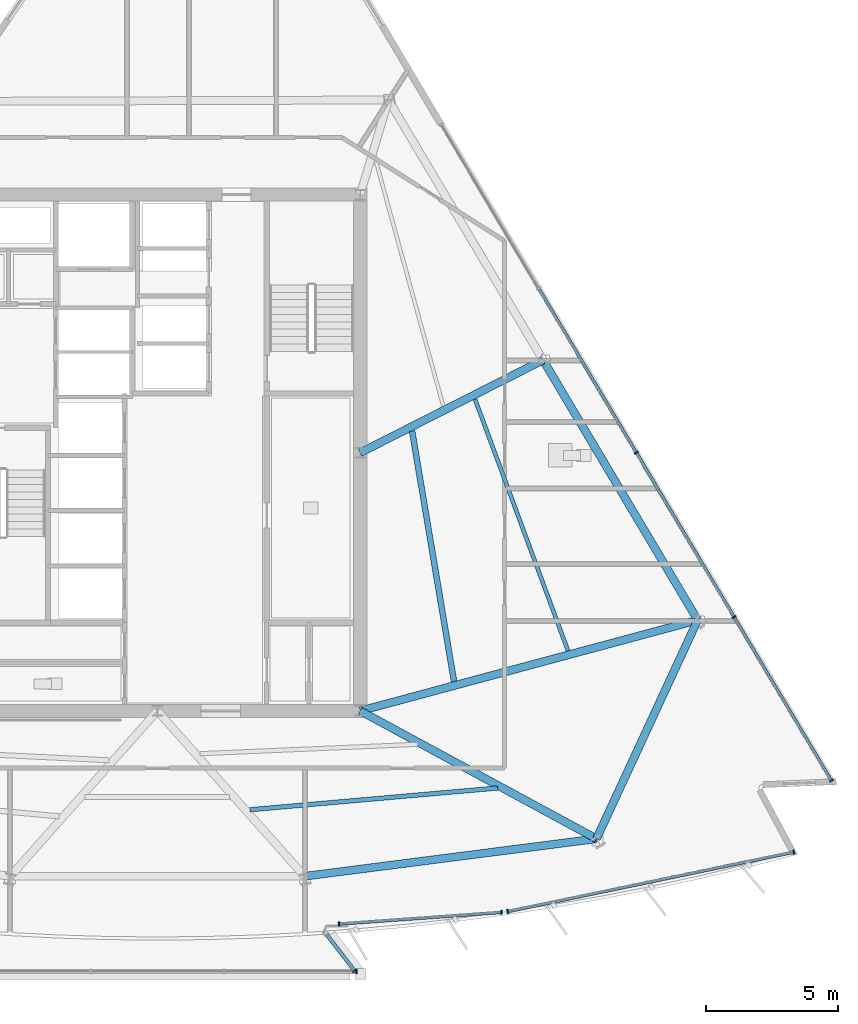
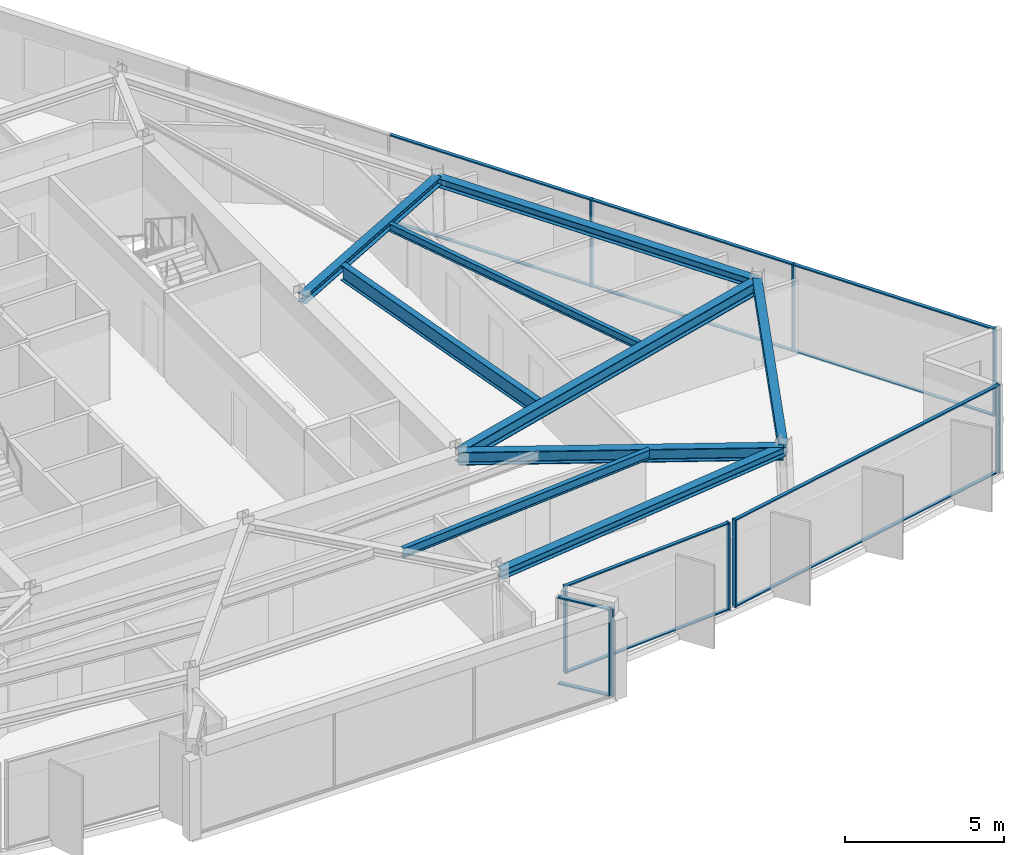
# One storey, part 5 of 14: 21 members, 9 beams, 5 elements without a shape of their own.
"""IFC4 building model written with IfcOpenShell, lengths in metres."""

from ifc_helpers import new_model, si_unit, direction, frame, origin, origin_2d, place, context, subcontext, project, spatial, rectangle, i_section, extrude, material, material_profile, profile_set, type_object, element, aggregate, save


model = new_model("IFC4")

# Units and contexts
model_context = context("Model", 3, precision=1e-05, world=origin(), true_north=direction((0.0, 1.0)))
body_context = subcontext(model_context, "Body", "Model", "MODEL_VIEW")
ifc_project = project(units=[si_unit("LENGTHUNIT", "METRE"), si_unit("AREAUNIT", "SQUARE_METRE"), si_unit("VOLUMEUNIT", "CUBIC_METRE"), si_unit("PLANEANGLEUNIT", "RADIAN"), si_unit("MASSUNIT", "GRAM", prefix="KILO")], contexts=[model_context])

# Site, building, storey
site_placement = place(None, origin())
site = spatial("IfcSite", under=ifc_project, at=site_placement, CompositionType="ELEMENT")
building_placement = place(site_placement, origin())
building = spatial("IfcBuilding", under=site, at=building_placement, Name="Savorim Split Tower", CompositionType="ELEMENT")
storey_placement = place(building_placement, frame((0.0, 0.0, 209.10009765625)))
storey = spatial("IfcBuildingStorey", under=building, at=storey_placement, Name="L55", CompositionType="ELEMENT", Elevation=209.10009765625)

# Beams
ifc_material_1 = material(Name="Steel S355", Category="steel")
ifc_material_profile_1 = material_profile(ifc_material_1, i_section(OverallWidth=0.14990234375, OverallDepth=0.300048828125, WebThickness=0.007080078125, FlangeThickness=0.0107421875, FilletRadius=0.014892578125, at=origin_2d()), Name="IPE 300")
ifc_profile_set_1 = profile_set([ifc_material_profile_1], Name="Steel S355")
beam_type_1 = type_object("IfcBeamType", Name="BM-JST-IPE300", PredefinedType="JOIST", material=ifc_profile_set_1)
beam_1_placement = place(storey_placement, frame((15.588134765625, -7.112060546875, 3.199951171875), z_axis=(-0.346731362977, 0.937964477967, 0.0), x_axis=(-0.937964477967, -0.346731362977, 0.0)))
element("IfcBeam", 1, at=beam_1_placement, inside=storey, type_object=beam_type_1, Name="L55 Secondary Floor Joist JS-06", PredefinedType="JOIST", context=body_context, shape_type="SweptSolid", body=[
    extrude(i_section(OverallWidth=0.14990234375, OverallDepth=0.300048828125, WebThickness=0.007080078125, FlangeThickness=0.0107421875, FilletRadius=0.014892578125, at=origin_2d()), origin(), (0.0, 0.0, 1.0), 10.176025390625),
])
ifc_material_profile_2 = material_profile(ifc_material_1, i_section(OverallWidth=0.169921875, OverallDepth=0.360107421875, WebThickness=0.008056640625, FlangeThickness=0.0126953125, FilletRadius=0.01806640625, at=origin_2d()), Name="IPE 360")
ifc_profile_set_2 = profile_set([ifc_material_profile_2], Name="Steel S355")
beam_type_2 = type_object("IfcBeamType", Name="BM-JST-IPE360", PredefinedType="JOIST", material=ifc_profile_set_2)
beam_2_placement = place(storey_placement, frame((3.51171875, -13.153076171875, 3.169921875), z_axis=(0.996170934177, 0.087426940367, 0.0), x_axis=(-0.087426940367, 0.996170934177, 0.0)))
element("IfcBeam", 2, at=beam_2_placement, inside=storey, type_object=beam_type_2, Name="L55 Secondary Floor Joist JS-04", PredefinedType="JOIST", context=body_context, shape_type="SweptSolid", body=[
    extrude(i_section(OverallWidth=0.169921875, OverallDepth=0.360107421875, WebThickness=0.008056640625, FlangeThickness=0.0126953125, FilletRadius=0.01806640625, at=origin_2d()), origin(), (0.0, 0.0, 1.0), 9.447021484375),
])
ifc_material_profile_3 = material_profile(ifc_material_1, i_section(OverallWidth=0.219970703125, OverallDepth=0.60009765625, WebThickness=0.011962890625, FlangeThickness=0.01904296875, FilletRadius=0.02392578125, at=origin_2d()), Name="IPE 600")
ifc_profile_set_3 = profile_set([ifc_material_profile_3], Name="Steel S355")
beam_type_3 = type_object("IfcBeamType", Name="BM-JST-IPE600", PredefinedType="JOIST", material=ifc_profile_set_3)
beam_3_placement = place(storey_placement, frame((11.260986328125, -8.276611328125, 3.0498046875), z_axis=(-0.165080930853, 0.986280024267, 0.0), x_axis=(-0.986280024267, -0.165080930853, 0.0)))
element("IfcBeam", 3, at=beam_3_placement, inside=storey, type_object=beam_type_3, Name="L55 Secondary Floor Joist JS-08", PredefinedType="JOIST", context=body_context, shape_type="SweptSolid", body=[
    extrude(i_section(OverallWidth=0.219970703125, OverallDepth=0.60009765625, WebThickness=0.011962890625, FlangeThickness=0.01904296875, FilletRadius=0.02392578125, at=origin_2d()), origin(), (0.0, 0.0, 1.0), 9.63671875),
])
ifc_material_profile_4 = material_profile(ifc_material_1, i_section(OverallWidth=0.300048828125, OverallDepth=0.320068359375, WebThickness=0.011474609375, FlangeThickness=0.0205078125, FilletRadius=0.027099609375, at=origin_2d()), Name="HEB 320")
ifc_profile_set_4 = profile_set([ifc_material_profile_4], Name="Steel S355")
beam_type_4 = type_object("IfcBeamType", Name="BM-PRI-HEB320", PredefinedType="BEAM", material=ifc_profile_set_4)
beam_4_placement = place(storey_placement, frame((14.64208984375, 3.92041015625, 3.18994140625), z_axis=(-0.891872169066, -0.452287556811, 0.0), x_axis=(0.452287556811, -0.891872169066, 0.0)))
element("IfcBeam", 4, at=beam_4_placement, inside=storey, type_object=beam_type_4, Name="L55 Primary Floor Girder RG-06", PredefinedType="BEAM", context=body_context, shape_type="SweptSolid", body=[
    extrude(i_section(OverallWidth=0.300048828125, OverallDepth=0.320068359375, WebThickness=0.011474609375, FlangeThickness=0.0205078125, FilletRadius=0.027099609375, at=origin_2d()), origin(), (0.0, 0.0, 1.0), 7.78369140625),
])
ifc_material_profile_5 = material_profile(ifc_material_1, i_section(OverallWidth=0.300048828125, OverallDepth=0.5, WebThickness=0.014404296875, FlangeThickness=0.028076171875, FilletRadius=0.027099609375, at=origin_2d()), Name="HEB 500")
ifc_profile_set_5 = profile_set([ifc_material_profile_5], Name="Steel S355")
beam_type_5 = type_object("IfcBeamType", Name="BM-PRI-HEB500", PredefinedType="BEAM", material=ifc_profile_set_5)
beam_5_placement = place(storey_placement, frame((16.669921875, -14.25537109375, 3.099853515625), z_axis=(-0.879426004426, 0.47603561079, 0.0), x_axis=(-0.47603561079, -0.879426004426, 0.0)))
element("IfcBeam", 5, at=beam_5_placement, inside=storey, type_object=beam_type_5, Name="L55 Primary Floor Girder RG-04", PredefinedType="BEAM", context=body_context, shape_type="SweptSolid", body=[
    extrude(i_section(OverallWidth=0.300048828125, OverallDepth=0.5, WebThickness=0.014404296875, FlangeThickness=0.028076171875, FilletRadius=0.027099609375, at=origin_2d()), origin(), (0.0, 0.0, 1.0), 10.19970703125),
])
beam_6_placement = place(storey_placement, frame((20.512451171875, -5.951904296875, 3.099853515625), z_axis=(-0.965644533115, -0.259866572812, 0.0), x_axis=(0.259866572812, -0.965644533115, 0.0)))
element("IfcBeam", 6, at=beam_6_placement, inside=storey, type_object=beam_type_5, Name="L55 Primary Floor Girder RG-05", PredefinedType="BEAM", context=body_context, shape_type="SweptSolid", body=[
    extrude(i_section(OverallWidth=0.300048828125, OverallDepth=0.5, WebThickness=0.014404296875, FlangeThickness=0.028076171875, FilletRadius=0.027099609375, at=origin_2d()), origin(), (0.0, 0.0, 1.0), 13.268310546875),
])
ifc_material_profile_6 = material_profile(ifc_material_1, i_section(OverallWidth=0.300048828125, OverallDepth=0.35009765625, WebThickness=0.010009765625, FlangeThickness=0.017578125, FilletRadius=0.027099609375, at=origin_2d()), Name="HEA 360")
ifc_profile_set_6 = profile_set([ifc_material_profile_6], Name="Steel S355")
beam_type_6 = type_object("IfcBeamType", Name="BM-SPN-HEA360", PredefinedType="SPANDREL", material=ifc_profile_set_6)
beam_7_placement = place(storey_placement, frame((5.5869140625, -15.67822265625, 3.1748046875), z_axis=(0.991859602869, 0.12733627997, 0.0), x_axis=(-0.12733627997, 0.991859602869, 0.0)))
element("IfcBeam", 7, at=beam_7_placement, inside=storey, type_object=beam_type_6, Name="L55 Perimeter Spandrel Beam 3", PredefinedType="SPANDREL", context=body_context, shape_type="SweptSolid", body=[
    extrude(i_section(OverallWidth=0.300048828125, OverallDepth=0.35009765625, WebThickness=0.010009765625, FlangeThickness=0.017578125, FilletRadius=0.027099609375, at=origin_2d()), origin(), (0.0, 0.0, 1.0), 11.174072265625),
])
beam_8_placement = place(storey_placement, frame((16.669921875, -14.25537109375, 3.1748046875), z_axis=(0.419973407686, 0.90753641075, 0.0), x_axis=(-0.90753641075, 0.419973407686, 0.0)))
element("IfcBeam", 8, at=beam_8_placement, inside=storey, type_object=beam_type_6, Name="L55 Perimeter Spandrel Beam 4", PredefinedType="SPANDREL", context=body_context, shape_type="SweptSolid", body=[
    extrude(i_section(OverallWidth=0.300048828125, OverallDepth=0.35009765625, WebThickness=0.010009765625, FlangeThickness=0.017578125, FilletRadius=0.027099609375, at=origin_2d()), origin(), (0.0, 0.0, 1.0), 9.1494140625),
])
beam_9_placement = place(storey_placement, frame((20.512451171875, -5.951904296875, 3.1748046875), z_axis=(-0.511097038586, 0.85952301723, 0.0), x_axis=(-0.85952301723, -0.511097038586, 0.0)))
element("IfcBeam", 9, at=beam_9_placement, inside=storey, type_object=beam_type_6, Name="L55 Perimeter Spandrel Beam 5", PredefinedType="SPANDREL", context=body_context, shape_type="SweptSolid", body=[
    extrude(i_section(OverallWidth=0.300048828125, OverallDepth=0.35009765625, WebThickness=0.010009765625, FlangeThickness=0.017578125, FilletRadius=0.027099609375, at=origin_2d()), origin(), (0.0, 0.0, 1.0), 11.48583984375),
])

# Curtain wall, members
ifc_material_2 = material(Name="Dark Ceramic-Fritted Insulated Glass", Category="glass")
curtain_wall_type_1 = type_object("IfcCurtainWallType", Name="CW-TWR-FRIT-B", PredefinedType="NOTDEFINED", material=ifc_material_2)
curtain_wall_1_placement = place(storey_placement, origin())
curtain_wall_1 = element("IfcCurtainWall", 10, at=curtain_wall_1_placement, inside=storey, type_object=curtain_wall_type_1, Name="L55 Curtain Wall CW-L55-SF3A", PredefinedType="NOTDEFINED")
ifc_material_3 = material(Name="Charcoal Anodised Aluminium", Category="aluminium")
ifc_material_profile_7 = material_profile(ifc_material_3, rectangle(XDim=0.159912109375, YDim=0.06005859375, at=origin_2d()), Name="ALU-M 160x60")
ifc_profile_set_7 = profile_set([ifc_material_profile_7], Name="Charcoal Anodised Aluminium")
member_type_1 = type_object("IfcMemberType", Name="CWM-160x60", PredefinedType="MULLION", material=ifc_profile_set_7)
member_1_placement = place(storey_placement, frame((6.8994140625, -17.487060546875, 0.0), z_axis=(0.0, 0.0, 1.0), x_axis=(-0.071552325109, 0.99743684751, 0.0)))
member_1 = element("IfcMember", 11, at=member_1_placement, type_object=member_type_1, Name="CW-03 mullion 1", PredefinedType="MULLION", context=body_context, shape_type="SweptSolid", body=[
    extrude(rectangle(XDim=0.159912109375, YDim=0.06005859375, at=origin_2d()), origin(), (0.0, 0.0, 1.0), 3.349853515625),
])
member_2_placement = place(storey_placement, frame((13.062255859375, -17.044921875, 0.0), z_axis=(0.0, 0.0, 1.0), x_axis=(-0.071552325109, 0.99743684751, 0.0)))
member_2 = element("IfcMember", 12, at=member_2_placement, type_object=member_type_1, Name="CW-03 mullion 2", PredefinedType="MULLION", context=body_context, shape_type="SweptSolid", body=[
    extrude(rectangle(XDim=0.159912109375, YDim=0.06005859375, at=origin_2d()), origin(), (0.0, 0.0, 1.0), 3.349853515625),
])

curtain_wall_2_placement = place(storey_placement, origin())
curtain_wall_2 = element("IfcCurtainWall", 13, at=curtain_wall_2_placement, inside=storey, type_object=curtain_wall_type_1, Name="L55 Curtain Wall CW-L55-SF4A", PredefinedType="NOTDEFINED")
member_3_placement = place(storey_placement, frame((13.303466796875, -17.011474609375, 0.0), z_axis=(0.0, 0.0, 1.0), x_axis=(-0.203210452448, 0.979135083641, 0.0)))
member_3 = element("IfcMember", 14, at=member_3_placement, type_object=member_type_1, Name="CW-03 mullion 1", PredefinedType="MULLION", context=body_context, shape_type="SweptSolid", body=[
    extrude(rectangle(XDim=0.159912109375, YDim=0.06005859375, at=origin_2d()), origin(), (0.0, 0.0, 1.0), 3.349853515625),
])
member_4_placement = place(storey_placement, frame((24.15869140625, -14.758544921875, 0.0), z_axis=(0.0, 0.0, 1.0), x_axis=(-0.203210452448, 0.979135083641, 0.0)))
member_4 = element("IfcMember", 15, at=member_4_placement, type_object=member_type_1, Name="CW-03 mullion 2", PredefinedType="MULLION", context=body_context, shape_type="SweptSolid", body=[
    extrude(rectangle(XDim=0.159912109375, YDim=0.06005859375, at=origin_2d()), origin(), (0.0, 0.0, 1.0), 3.349853515625),
])

curtain_wall_3_placement = place(storey_placement, origin())
curtain_wall_3 = element("IfcCurtainWall", 16, at=curtain_wall_3_placement, inside=storey, type_object=curtain_wall_type_1, Name="L55 Curtain Wall CW-L55-EAST", PredefinedType="NOTDEFINED")
member_5_placement = place(storey_placement, frame((25.586181640625, -12.04736328125, 0.0), z_axis=(0.0, 0.0, 1.0), x_axis=(-0.859525909056, -0.511092175308, 0.0)))
member_5 = element("IfcMember", 17, at=member_5_placement, type_object=member_type_1, Name="CW-03 mullion 1", PredefinedType="MULLION", context=body_context, shape_type="SweptSolid", body=[
    extrude(rectangle(XDim=0.159912109375, YDim=0.06005859375, at=origin_2d()), origin(), (0.0, 0.0, 1.0), 3.349853515625),
])
member_6_placement = place(storey_placement, frame((21.89208984375, -5.8349609375, 0.0), z_axis=(0.0, 0.0, 1.0), x_axis=(-0.859525909056, -0.511092175308, 0.0)))
member_6 = element("IfcMember", 18, at=member_6_placement, type_object=member_type_1, Name="CW-03 mullion 2", PredefinedType="MULLION", context=body_context, shape_type="SweptSolid", body=[
    extrude(rectangle(XDim=0.159912109375, YDim=0.06005859375, at=origin_2d()), origin(), (0.0, 0.0, 1.0), 3.349853515625),
])
member_7_placement = place(storey_placement, frame((18.1826171875, 0.4033203125, 0.0), z_axis=(0.0, 0.0, 1.0), x_axis=(-0.859525909056, -0.511092175308, 0.0)))
member_7 = element("IfcMember", 19, at=member_7_placement, type_object=member_type_1, Name="CW-03 mullion 3", PredefinedType="MULLION", context=body_context, shape_type="SweptSolid", body=[
    extrude(rectangle(XDim=0.159912109375, YDim=0.06005859375, at=origin_2d()), origin(), (0.0, 0.0, 1.0), 3.349853515625),
])

# Curtain wall, member
curtain_wall_type_2 = type_object("IfcCurtainWallType", Name="CW-BAY-LOUNGE", PredefinedType="NOTDEFINED", material=ifc_material_2)
curtain_wall_4_placement = place(storey_placement, origin())
curtain_wall_4 = element("IfcCurtainWall", 20, at=curtain_wall_4_placement, inside=storey, type_object=curtain_wall_type_2, Name="L55 Curtain Wall CW-L55-BAYF", PredefinedType="NOTDEFINED")
ifc_material_profile_8 = material_profile(ifc_material_3, rectangle(XDim=0.179931640625, YDim=0.06494140625, at=origin_2d()), Name="ALU-M 180x65")
ifc_profile_set_8 = profile_set([ifc_material_profile_8], Name="Charcoal Anodised Aluminium")
member_type_2 = type_object("IfcMemberType", Name="CWM-180x65", PredefinedType="MULLION", material=ifc_profile_set_8)
member_8_placement = place(storey_placement, frame((7.5625, -19.296142578125, 0.0), z_axis=(0.0, 0.0, 1.0), x_axis=(0.0, 1.0, 0.0)))
member_8 = element("IfcMember", 21, at=member_8_placement, type_object=member_type_2, Name="CW-04 mullion 4", PredefinedType="MULLION", context=body_context, shape_type="SweptSolid", body=[
    extrude(rectangle(XDim=0.179931640625, YDim=0.06494140625, at=origin_2d()), origin(), (0.0, 0.0, 1.0), 3.349853515625),
])
aggregate(curtain_wall_4, [member_8])

curtain_wall_5_placement = place(storey_placement, origin())
curtain_wall_5 = element("IfcCurtainWall", 22, at=curtain_wall_5_placement, inside=storey, type_object=curtain_wall_type_2, Name="L55 Curtain Wall CW-L55-BAYE", PredefinedType="NOTDEFINED")
member_9_placement = place(storey_placement, frame((7.49072265625, -19.269287109375, 0.0), z_axis=(0.0, 0.0, 1.0), x_axis=(-0.791644427418, -0.610982078738, 0.0)))
member_9 = element("IfcMember", 23, at=member_9_placement, type_object=member_type_2, Name="CW-04 mullion 1", PredefinedType="MULLION", context=body_context, shape_type="SweptSolid", body=[
    extrude(rectangle(XDim=0.179931640625, YDim=0.06494140625, at=origin_2d()), origin(), (0.0, 0.0, 1.0), 3.349853515625),
])

# Member
ifc_material_profile_9 = material_profile(ifc_material_3, rectangle(XDim=0.1201171875, YDim=0.050048828125, at=origin_2d()), Name="ALU-T 120x50")
ifc_profile_set_9 = profile_set([ifc_material_profile_9], Name="Charcoal Anodised Aluminium")
member_type_3 = type_object("IfcMemberType", Name="CWT-120x50", PredefinedType="USERDEFINED", material=ifc_profile_set_9)
member_10_placement = place(storey_placement, frame((6.929443359375, -17.48486328125, 0.02490234375), z_axis=(0.99743759191, 0.071541947448, 0.0), x_axis=(-0.071541947448, 0.99743759191, 0.0)))
member_10 = element("IfcMember", 24, at=member_10_placement, type_object=member_type_3, Name="CW-03 transom 1.1", ObjectType="TRANSOM", PredefinedType="USERDEFINED", context=body_context, shape_type="SweptSolid", body=[
    extrude(rectangle(XDim=0.1201171875, YDim=0.050048828125, at=origin_2d()), origin(), (0.0, 0.0, 1.0), 6.11865234375),
])

member_11_placement = place(storey_placement, frame((6.929443359375, -17.48486328125, 3.324951171875), z_axis=(0.99743759191, 0.071541947448, 0.0), x_axis=(-0.071541947448, 0.99743759191, 0.0)))
member_11 = element("IfcMember", 25, at=member_11_placement, type_object=member_type_3, Name="CW-03 transom 1.2", ObjectType="TRANSOM", PredefinedType="USERDEFINED", context=body_context, shape_type="SweptSolid", body=[
    extrude(rectangle(XDim=0.1201171875, YDim=0.050048828125, at=origin_2d()), origin(), (0.0, 0.0, 1.0), 6.11865234375),
])

aggregate(curtain_wall_1, [member_1, member_2, member_10, member_11])

member_12_placement = place(storey_placement, frame((13.332763671875, -17.00537109375, 0.02490234375), z_axis=(0.979135416768, 0.203208847322, 0.0), x_axis=(-0.203208847322, 0.979135416768, 0.0)))
member_12 = element("IfcMember", 26, at=member_12_placement, type_object=member_type_3, Name="CW-03 transom 1.1", ObjectType="TRANSOM", PredefinedType="USERDEFINED", context=body_context, shape_type="SweptSolid", body=[
    extrude(rectangle(XDim=0.1201171875, YDim=0.050048828125, at=origin_2d()), origin(), (0.0, 0.0, 1.0), 11.026611328125),
])

member_13_placement = place(storey_placement, frame((13.332763671875, -17.00537109375, 3.324951171875), z_axis=(0.979135416768, 0.203208847322, 0.0), x_axis=(-0.203208847322, 0.979135416768, 0.0)))
member_13 = element("IfcMember", 27, at=member_13_placement, type_object=member_type_3, Name="CW-03 transom 1.2", ObjectType="TRANSOM", PredefinedType="USERDEFINED", context=body_context, shape_type="SweptSolid", body=[
    extrude(rectangle(XDim=0.1201171875, YDim=0.050048828125, at=origin_2d()), origin(), (0.0, 0.0, 1.0), 11.026611328125),
])

aggregate(curtain_wall_2, [member_3, member_4, member_12, member_13])

member_14_placement = place(storey_placement, frame((25.57080078125, -12.021484375, 0.02490234375), z_axis=(-0.511085594604, 0.859529822047, 0.0), x_axis=(-0.859529822047, -0.511085594604, 0.0)))
member_14 = element("IfcMember", 28, at=member_14_placement, type_object=member_type_3, Name="CW-03 transom 1.1", ObjectType="TRANSOM", PredefinedType="USERDEFINED", context=body_context, shape_type="SweptSolid", body=[
    extrude(rectangle(XDim=0.1201171875, YDim=0.050048828125, at=origin_2d()), origin(), (0.0, 0.0, 1.0), 7.167724609375),
])

member_15_placement = place(storey_placement, frame((25.57080078125, -12.021484375, 3.324951171875), z_axis=(-0.511085594604, 0.859529822047, 0.0), x_axis=(-0.859529822047, -0.511085594604, 0.0)))
member_15 = element("IfcMember", 29, at=member_15_placement, type_object=member_type_3, Name="CW-03 transom 1.2", ObjectType="TRANSOM", PredefinedType="USERDEFINED", context=body_context, shape_type="SweptSolid", body=[
    extrude(rectangle(XDim=0.1201171875, YDim=0.050048828125, at=origin_2d()), origin(), (0.0, 0.0, 1.0), 7.167724609375),
])

member_16_placement = place(storey_placement, frame((21.876708984375, -5.80908203125, 0.02490234375), z_axis=(-0.511099775208, 0.85952138995, 0.0), x_axis=(-0.85952138995, -0.511099775208, 0.0)))
member_16 = element("IfcMember", 30, at=member_16_placement, type_object=member_type_3, Name="CW-03 transom 2.1", ObjectType="TRANSOM", PredefinedType="USERDEFINED", context=body_context, shape_type="SweptSolid", body=[
    extrude(rectangle(XDim=0.1201171875, YDim=0.050048828125, at=origin_2d()), origin(), (0.0, 0.0, 1.0), 7.19775390625),
])

member_17_placement = place(storey_placement, frame((21.876708984375, -5.80908203125, 3.324951171875), z_axis=(-0.511099775208, 0.85952138995, 0.0), x_axis=(-0.85952138995, -0.511099775208, 0.0)))
member_17 = element("IfcMember", 31, at=member_17_placement, type_object=member_type_3, Name="CW-03 transom 2.2", ObjectType="TRANSOM", PredefinedType="USERDEFINED", context=body_context, shape_type="SweptSolid", body=[
    extrude(rectangle(XDim=0.1201171875, YDim=0.050048828125, at=origin_2d()), origin(), (0.0, 0.0, 1.0), 7.19775390625),
])

member_18_placement = place(storey_placement, frame((18.16748046875, 0.428955078125, 0.02490234375), z_axis=(-0.511084874667, 0.859530250129, 0.0), x_axis=(-0.859530250129, -0.511084874667, 0.0)))
member_18 = element("IfcMember", 32, at=member_18_placement, type_object=member_type_3, Name="CW-03 transom 3.1", ObjectType="TRANSOM", PredefinedType="USERDEFINED", context=body_context, shape_type="SweptSolid", body=[
    extrude(rectangle(XDim=0.1201171875, YDim=0.050048828125, at=origin_2d()), origin(), (0.0, 0.0, 1.0), 7.19775390625),
])

member_19_placement = place(storey_placement, frame((18.16748046875, 0.428955078125, 3.324951171875), z_axis=(-0.511084874667, 0.859530250129, 0.0), x_axis=(-0.859530250129, -0.511084874667, 0.0)))
member_19 = element("IfcMember", 33, at=member_19_placement, type_object=member_type_3, Name="CW-03 transom 3.2", ObjectType="TRANSOM", PredefinedType="USERDEFINED", context=body_context, shape_type="SweptSolid", body=[
    extrude(rectangle(XDim=0.1201171875, YDim=0.050048828125, at=origin_2d()), origin(), (0.0, 0.0, 1.0), 7.19775390625),
])

aggregate(curtain_wall_3, [member_5, member_6, member_7, member_14, member_15, member_16, member_17, member_18, member_19])

ifc_material_profile_10 = material_profile(ifc_material_3, rectangle(XDim=0.139892578125, YDim=0.054931640625, at=origin_2d()), Name="ALU-T 140x55")
ifc_profile_set_10 = profile_set([ifc_material_profile_10], Name="Charcoal Anodised Aluminium")
member_type_4 = type_object("IfcMemberType", Name="CWT-140x55", PredefinedType="USERDEFINED", material=ifc_profile_set_10)
member_20_placement = place(storey_placement, frame((7.470703125, -19.24365234375, 0.02734375), z_axis=(-0.610872704721, 0.791728828973, 0.0), x_axis=(-0.791728828973, -0.610872704721, 0.0)))
member_20 = element("IfcMember", 34, at=member_20_placement, type_object=member_type_4, Name="CW-04 transom 1.1", ObjectType="TRANSOM", PredefinedType="USERDEFINED", context=body_context, shape_type="SweptSolid", body=[
    extrude(rectangle(XDim=0.139892578125, YDim=0.054931640625, at=origin_2d()), origin(), (0.0, 0.0, 1.0), 1.704833984375),
])

member_21_placement = place(storey_placement, frame((7.470703125, -19.24365234375, 3.322509765625), z_axis=(-0.610872704721, 0.791728828973, 0.0), x_axis=(-0.791728828973, -0.610872704721, 0.0)))
member_21 = element("IfcMember", 35, at=member_21_placement, type_object=member_type_4, Name="CW-04 transom 1.2", ObjectType="TRANSOM", PredefinedType="USERDEFINED", context=body_context, shape_type="SweptSolid", body=[
    extrude(rectangle(XDim=0.139892578125, YDim=0.054931640625, at=origin_2d()), origin(), (0.0, 0.0, 1.0), 1.704833984375),
])

aggregate(curtain_wall_5, [member_9, member_20, member_21])

save(model, "model.ifc")
